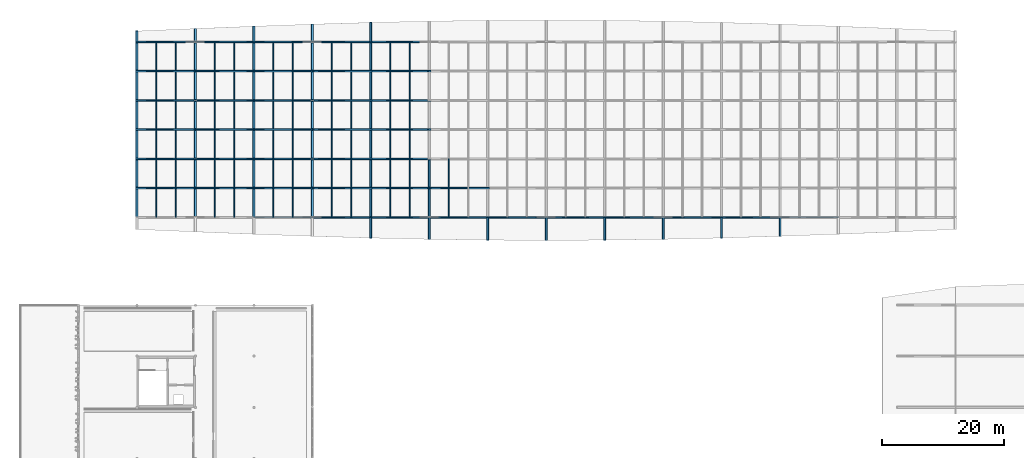
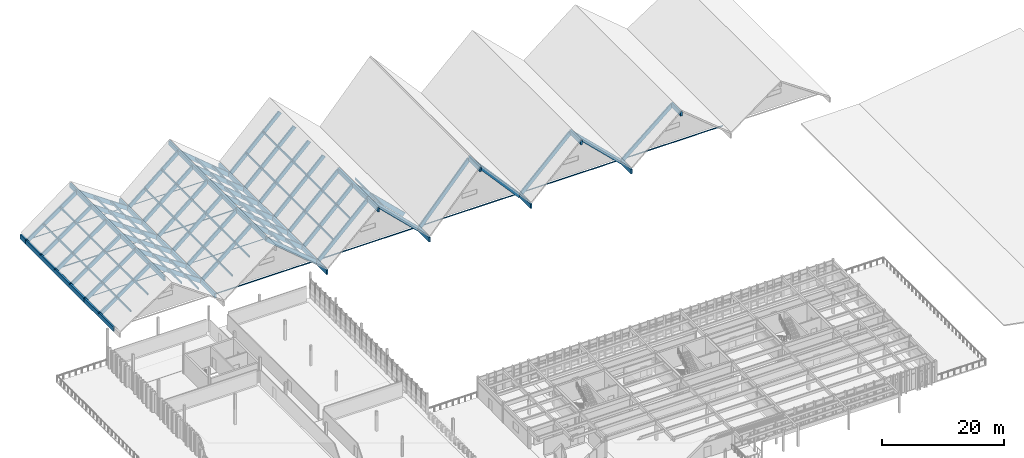
# One storey, part 15 of 42: 95 members.
"""IFC4 building model written with IfcOpenShell, lengths in metres."""

from ifc_helpers import new_model, si_unit, direction, frame, origin, origin_2d, place, context, subcontext, project, spatial, rectangle, hollow_circle, extrude, material, material_profile, profile_set, type_object, element, save


model = new_model("IFC4")

# Units and contexts
model_context = context("Model", 3, precision=1e-05, world=origin(), true_north=direction((0.0, 1.0)))
body_context = subcontext(model_context, "Body", "Model", "MODEL_VIEW")
ifc_project = project(units=[si_unit("LENGTHUNIT", "METRE"), si_unit("AREAUNIT", "SQUARE_METRE"), si_unit("VOLUMEUNIT", "CUBIC_METRE"), si_unit("PLANEANGLEUNIT", "RADIAN"), si_unit("MASSUNIT", "GRAM", prefix="KILO")], contexts=[model_context])

# Site, building, storey
site_placement = place(None, origin())
site = spatial("IfcSite", under=ifc_project, at=site_placement, CompositionType="ELEMENT")
building_placement = place(site_placement, origin())
building = spatial("IfcBuilding", under=site, at=building_placement, Name="Kolvemor Railside Polytechnic", CompositionType="ELEMENT")
storey_placement = place(building_placement, frame((0.0, 0.0, 14.39990234375)))
storey = spatial("IfcBuildingStorey", under=building, at=storey_placement, Name="L03", CompositionType="ELEMENT", Elevation=14.39990234375)

# Members
ifc_material_1 = material(Name="Glulam GL28h", Category="wood")
ifc_material_profile_1 = material_profile(ifc_material_1, rectangle(XDim=0.31494140625, YDim=0.89990234375, at=origin_2d()), Name="GL315x900")
ifc_profile_set_1 = profile_set([ifc_material_profile_1], Name="Glulam GL28h")
member_type_1 = type_object("IfcMemberType", Name="MEM-FP-CHORD", PredefinedType="CHORD", material=ifc_profile_set_1)
member_1_placement = place(storey_placement, frame((19.199951171875, 91.199951171875, -4.96875), z_axis=(0.0, 1.0, 0.0), x_axis=(-1.0, 0.0, 0.0)))
element("IfcMember", 1, at=member_1_placement, inside=storey, type_object=member_type_1, Name="Folded-Plate Valley Chord CH-V1-2", PredefinedType="CHORD", context=body_context, shape_type="SweptSolid", body=[
    extrude(rectangle(XDim=0.31494140625, YDim=0.89990234375, at=origin_2d()), origin(), (0.0, 0.0, 1.0), 9.60009765625),
])
member_2_placement = place(storey_placement, frame((19.199951171875, 100.800048828125, -4.96875), z_axis=(0.0, 1.0, 0.0), x_axis=(-1.0, 0.0, 0.0)))
element("IfcMember", 2, at=member_2_placement, inside=storey, type_object=member_type_1, Name="Folded-Plate Valley Chord CH-V1-3", PredefinedType="CHORD", context=body_context, shape_type="SweptSolid", body=[
    extrude(rectangle(XDim=0.31494140625, YDim=0.89990234375, at=origin_2d()), origin(), (0.0, 0.0, 1.0), 19.199951171875),
])
member_3_placement = place(storey_placement, frame((19.199951171875, 120.0, -4.96875), z_axis=(0.0, 1.0, 0.0), x_axis=(-1.0, 0.0, 0.0)))
element("IfcMember", 3, at=member_3_placement, inside=storey, type_object=member_type_1, Name="Folded-Plate Valley Chord CH-V1-4", PredefinedType="CHORD", context=body_context, shape_type="SweptSolid", body=[
    extrude(rectangle(XDim=0.31494140625, YDim=0.89990234375, at=origin_2d()), origin(), (0.0, 0.0, 1.0), 1.800048828125),
])
member_4_placement = place(storey_placement, frame((38.39990234375, 91.199951171875, -4.96875), z_axis=(0.0, 1.0, 0.0), x_axis=(-1.0, 0.0, 0.0)))
element("IfcMember", 4, at=member_4_placement, inside=storey, type_object=member_type_1, Name="Folded-Plate Valley Chord CH-V2-2", PredefinedType="CHORD", context=body_context, shape_type="SweptSolid", body=[
    extrude(rectangle(XDim=0.31494140625, YDim=0.89990234375, at=origin_2d()), origin(), (0.0, 0.0, 1.0), 9.60009765625),
])
member_5_placement = place(storey_placement, frame((38.39990234375, 100.800048828125, -4.96875), z_axis=(0.0, 1.0, 0.0), x_axis=(-1.0, 0.0, 0.0)))
element("IfcMember", 5, at=member_5_placement, inside=storey, type_object=member_type_1, Name="Folded-Plate Valley Chord CH-V2-3", PredefinedType="CHORD", context=body_context, shape_type="SweptSolid", body=[
    extrude(rectangle(XDim=0.31494140625, YDim=0.89990234375, at=origin_2d()), origin(), (0.0, 0.0, 1.0), 19.199951171875),
])
member_6_placement = place(storey_placement, frame((38.39990234375, 120.0, -4.96875), z_axis=(0.0, 1.0, 0.0), x_axis=(-1.0, 0.0, 0.0)))
element("IfcMember", 6, at=member_6_placement, inside=storey, type_object=member_type_1, Name="Folded-Plate Valley Chord CH-V2-4", PredefinedType="CHORD", context=body_context, shape_type="SweptSolid", body=[
    extrude(rectangle(XDim=0.31494140625, YDim=0.89990234375, at=origin_2d()), origin(), (0.0, 0.0, 1.0), 2.5810546875),
])
member_7_placement = place(storey_placement, frame((57.60009765625, 87.79296875, -4.96875), z_axis=(0.0, 1.0, 0.0), x_axis=(-1.0, 0.0, 0.0)))
element("IfcMember", 7, at=member_7_placement, inside=storey, type_object=member_type_1, Name="Folded-Plate Valley Chord CH-V3-1", PredefinedType="CHORD", context=body_context, shape_type="SweptSolid", body=[
    extrude(rectangle(XDim=0.31494140625, YDim=0.89990234375, at=origin_2d()), origin(), (0.0, 0.0, 1.0), 3.406982421875),
])
member_8_placement = place(storey_placement, frame((57.60009765625, 91.199951171875, -4.96875), z_axis=(0.0, 1.0, 0.0), x_axis=(-1.0, 0.0, 0.0)))
element("IfcMember", 8, at=member_8_placement, inside=storey, type_object=member_type_1, Name="Folded-Plate Valley Chord CH-V3-2", PredefinedType="CHORD", context=body_context, shape_type="SweptSolid", body=[
    extrude(rectangle(XDim=0.31494140625, YDim=0.89990234375, at=origin_2d()), origin(), (0.0, 0.0, 1.0), 9.60009765625),
])
member_9_placement = place(storey_placement, frame((57.60009765625, 100.800048828125, -4.96875), z_axis=(0.0, 1.0, 0.0), x_axis=(-1.0, 0.0, 0.0)))
element("IfcMember", 9, at=member_9_placement, inside=storey, type_object=member_type_1, Name="Folded-Plate Valley Chord CH-V3-3", PredefinedType="CHORD", context=body_context, shape_type="SweptSolid", body=[
    extrude(rectangle(XDim=0.31494140625, YDim=0.89990234375, at=origin_2d()), origin(), (0.0, 0.0, 1.0), 19.199951171875),
])
member_10_placement = place(storey_placement, frame((57.60009765625, 120.0, -4.96875), z_axis=(0.0, 1.0, 0.0), x_axis=(-1.0, 0.0, 0.0)))
element("IfcMember", 10, at=member_10_placement, inside=storey, type_object=member_type_1, Name="Folded-Plate Valley Chord CH-V3-4", PredefinedType="CHORD", context=body_context, shape_type="SweptSolid", body=[
    extrude(rectangle(XDim=0.31494140625, YDim=0.89990234375, at=origin_2d()), origin(), (0.0, 0.0, 1.0), 3.20703125),
])
for number, where, z_axis, x_axis, name in (
    (11, (76.800048828125, 87.445068359375, -4.96875), (0.0, 1.0, 0.0), (-1.0, 0.0, 0.0), "Folded-Plate Valley Chord CH-V4-1"),
    (12, (96.0, 87.445068359375, -4.96875), (0.0, 1.0, 0.0), (-1.0, 0.0, 0.0), "Folded-Plate Valley Chord CH-V5-1"),
):
    element("IfcMember", number, at=place(storey_placement, frame(where, z_axis=z_axis, x_axis=x_axis)), inside=storey, type_object=member_type_1, Name=name, PredefinedType="CHORD", context=body_context, shape_type="SweptSolid", body=[
        extrude(rectangle(XDim=0.31494140625, YDim=0.89990234375, at=origin_2d()), origin(), (0.0, 0.0, 1.0), 3.7548828125),
    ])
member_11_placement = place(storey_placement, frame((115.199951171875, 87.79296875, -4.96875), z_axis=(0.0, 1.0, 0.0), x_axis=(-1.0, 0.0, 0.0)))
element("IfcMember", 13, at=member_11_placement, inside=storey, type_object=member_type_1, Name="Folded-Plate Valley Chord CH-V6-1", PredefinedType="CHORD", context=body_context, shape_type="SweptSolid", body=[
    extrude(rectangle(XDim=0.31494140625, YDim=0.89990234375, at=origin_2d()), origin(), (0.0, 0.0, 1.0), 3.406982421875),
])
member_12_placement = place(storey_placement, frame((28.800048828125, 91.199951171875, 1.75732421875), z_axis=(0.0, 1.0, 0.0), x_axis=(-1.0, 0.0, 0.0)))
element("IfcMember", 14, at=member_12_placement, inside=storey, type_object=member_type_1, Name="Folded-Plate Ridge Chord CH-R1-2", PredefinedType="CHORD", context=body_context, shape_type="SweptSolid", body=[
    extrude(rectangle(XDim=0.31494140625, YDim=0.89990234375, at=origin_2d()), origin(), (0.0, 0.0, 1.0), 9.60009765625),
])
member_13_placement = place(storey_placement, frame((28.800048828125, 100.800048828125, 1.75732421875), z_axis=(0.0, 1.0, 0.0), x_axis=(-1.0, 0.0, 0.0)))
element("IfcMember", 15, at=member_13_placement, inside=storey, type_object=member_type_1, Name="Folded-Plate Ridge Chord CH-R1-3", PredefinedType="CHORD", context=body_context, shape_type="SweptSolid", body=[
    extrude(rectangle(XDim=0.31494140625, YDim=0.89990234375, at=origin_2d()), origin(), (0.0, 0.0, 1.0), 19.199951171875),
])
member_14_placement = place(storey_placement, frame((28.800048828125, 120.0, 1.75732421875), z_axis=(0.0, 1.0, 0.0), x_axis=(-1.0, 0.0, 0.0)))
element("IfcMember", 16, at=member_14_placement, inside=storey, type_object=member_type_1, Name="Folded-Plate Ridge Chord CH-R1-4", PredefinedType="CHORD", context=body_context, shape_type="SweptSolid", body=[
    extrude(rectangle(XDim=0.31494140625, YDim=0.89990234375, at=origin_2d()), origin(), (0.0, 0.0, 1.0), 2.200927734375),
])
member_15_placement = place(storey_placement, frame((48.0, 91.199951171875, 3.03759765625), z_axis=(0.0, 1.0, 0.0), x_axis=(-1.0, 0.0, 0.0)))
element("IfcMember", 17, at=member_15_placement, inside=storey, type_object=member_type_1, Name="Folded-Plate Ridge Chord CH-R2-2", PredefinedType="CHORD", context=body_context, shape_type="SweptSolid", body=[
    extrude(rectangle(XDim=0.31494140625, YDim=0.89990234375, at=origin_2d()), origin(), (0.0, 0.0, 1.0), 9.60009765625),
])
member_16_placement = place(storey_placement, frame((48.0, 100.800048828125, 3.03759765625), z_axis=(0.0, 1.0, 0.0), x_axis=(-1.0, 0.0, 0.0)))
element("IfcMember", 18, at=member_16_placement, inside=storey, type_object=member_type_1, Name="Folded-Plate Ridge Chord CH-R2-3", PredefinedType="CHORD", context=body_context, shape_type="SweptSolid", body=[
    extrude(rectangle(XDim=0.31494140625, YDim=0.89990234375, at=origin_2d()), origin(), (0.0, 0.0, 1.0), 19.199951171875),
])
member_17_placement = place(storey_placement, frame((48.0, 120.0, 3.03759765625), z_axis=(0.0, 1.0, 0.0), x_axis=(-1.0, 0.0, 0.0)))
element("IfcMember", 19, at=member_17_placement, inside=storey, type_object=member_type_1, Name="Folded-Plate Ridge Chord CH-R2-4", PredefinedType="CHORD", context=body_context, shape_type="SweptSolid", body=[
    extrude(rectangle(XDim=0.31494140625, YDim=0.89990234375, at=origin_2d()), origin(), (0.0, 0.0, 1.0), 2.922119140625),
])
member_18_placement = place(storey_placement, frame((67.199951171875, 87.577880859375, 4.31591796875), z_axis=(0.0, 1.0, 0.0), x_axis=(-1.0, 0.0, 0.0)))
element("IfcMember", 20, at=member_18_placement, inside=storey, type_object=member_type_1, Name="Folded-Plate Ridge Chord CH-R3-1", PredefinedType="CHORD", context=body_context, shape_type="SweptSolid", body=[
    extrude(rectangle(XDim=0.31494140625, YDim=0.89990234375, at=origin_2d()), origin(), (0.0, 0.0, 1.0), 3.6220703125),
])
member_19_placement = place(storey_placement, frame((67.199951171875, 91.199951171875, 4.31591796875), z_axis=(0.0, 1.0, 0.0), x_axis=(-1.0, 0.0, 0.0)))
element("IfcMember", 21, at=member_19_placement, inside=storey, type_object=member_type_1, Name="Folded-Plate Ridge Chord CH-R3-2", PredefinedType="CHORD", context=body_context, shape_type="SweptSolid", body=[
    extrude(rectangle(XDim=0.31494140625, YDim=0.89990234375, at=origin_2d()), origin(), (0.0, 0.0, 1.0), 9.60009765625),
])
member_20_placement = place(storey_placement, frame((86.39990234375, 87.39990234375, 5.788818359375), z_axis=(0.0, 1.0, 0.0), x_axis=(-1.0, 0.0, 0.0)))
element("IfcMember", 22, at=member_20_placement, inside=storey, type_object=member_type_1, Name="Folded-Plate Ridge Chord CH-R4-1", PredefinedType="CHORD", context=body_context, shape_type="SweptSolid", body=[
    extrude(rectangle(XDim=0.31494140625, YDim=0.89990234375, at=origin_2d()), origin(), (0.0, 0.0, 1.0), 3.800048828125),
])
member_21_placement = place(storey_placement, frame((105.60009765625, 87.577880859375, 4.31591796875), z_axis=(0.0, 1.0, 0.0), x_axis=(-1.0, 0.0, 0.0)))
element("IfcMember", 23, at=member_21_placement, inside=storey, type_object=member_type_1, Name="Folded-Plate Ridge Chord CH-R5-1", PredefinedType="CHORD", context=body_context, shape_type="SweptSolid", body=[
    extrude(rectangle(XDim=0.31494140625, YDim=0.89990234375, at=origin_2d()), origin(), (0.0, 0.0, 1.0), 3.6220703125),
])
member_22_placement = place(storey_placement, frame((124.800048828125, 88.077880859375, 3.03759765625), z_axis=(0.0, 1.0, 0.0), x_axis=(-1.0, 0.0, 0.0)))
element("IfcMember", 24, at=member_22_placement, inside=storey, type_object=member_type_1, Name="Folded-Plate Ridge Chord CH-R6-1", PredefinedType="CHORD", context=body_context, shape_type="SweptSolid", body=[
    extrude(rectangle(XDim=0.31494140625, YDim=0.89990234375, at=origin_2d()), origin(), (0.0, 0.0, 1.0), 3.1220703125),
])
ifc_material_2 = material(Name="Glulam GL28h", Category="wood")
ifc_material_profile_2 = material_profile(ifc_material_2, rectangle(XDim=0.18505859375, YDim=0.360107421875, at=origin_2d()), Name="GL185x360")
ifc_profile_set_2 = profile_set([ifc_material_profile_2], Name="Glulam GL28h")
member_type_2 = type_object("IfcMemberType", Name="MEM-FP-PURLIN", PredefinedType="PURLIN", material=ifc_profile_set_2)
for number, where, z_axis, x_axis, name in (
    (25, (22.39990234375, 91.199951171875, -2.478759765625), (0.0, 1.0, 0.0), (-1.0, 0.0, 0.0), "Folded-Plate Purlin PR-W1-1"),
    (26, (35.199951171875, 91.199951171875, -2.478759765625), (0.0, 1.0, 0.0), (-1.0, 0.0, 0.0), "Folded-Plate Purlin PR-E1-1"),
):
    element("IfcMember", number, at=place(storey_placement, frame(where, z_axis=z_axis, x_axis=x_axis)), inside=storey, type_object=member_type_2, Name=name, PredefinedType="PURLIN", context=body_context, shape_type="SweptSolid", body=[
        extrude(rectangle(XDim=0.18505859375, YDim=0.360107421875, at=origin_2d()), origin(), (0.0, 0.0, 1.0), 9.60009765625),
    ])
for number, where, z_axis, x_axis, name in (
    (27, (22.39990234375, 100.800048828125, -2.478759765625), (0.0, 1.0, 0.0), (-1.0, 0.0, 0.0), "Folded-Plate Purlin PR-W1-1"),
    (28, (35.199951171875, 100.800048828125, -2.478759765625), (0.0, 1.0, 0.0), (-1.0, 0.0, 0.0), "Folded-Plate Purlin PR-E1-1"),
):
    element("IfcMember", number, at=place(storey_placement, frame(where, z_axis=z_axis, x_axis=x_axis)), inside=storey, type_object=member_type_2, Name=name, PredefinedType="PURLIN", context=body_context, shape_type="SweptSolid", body=[
        extrude(rectangle(XDim=0.18505859375, YDim=0.360107421875, at=origin_2d()), origin(), (0.0, 0.0, 1.0), 19.199951171875),
    ])
for number, where, z_axis, x_axis, name in (
    (29, (25.60009765625, 91.199951171875, -0.245361328125), (0.0, 1.0, 0.0), (-1.0, 0.0, 0.0), "Folded-Plate Purlin PR-W1-2"),
    (30, (32.0, 91.199951171875, -0.245361328125), (0.0, 1.0, 0.0), (-1.0, 0.0, 0.0), "Folded-Plate Purlin PR-E1-2"),
):
    element("IfcMember", number, at=place(storey_placement, frame(where, z_axis=z_axis, x_axis=x_axis)), inside=storey, type_object=member_type_2, Name=name, PredefinedType="PURLIN", context=body_context, shape_type="SweptSolid", body=[
        extrude(rectangle(XDim=0.18505859375, YDim=0.360107421875, at=origin_2d()), origin(), (0.0, 0.0, 1.0), 9.60009765625),
    ])
for number, where, z_axis, x_axis, name in (
    (31, (25.60009765625, 100.800048828125, -0.245361328125), (0.0, 1.0, 0.0), (-1.0, 0.0, 0.0), "Folded-Plate Purlin PR-W1-2"),
    (32, (32.0, 100.800048828125, -0.245361328125), (0.0, 1.0, 0.0), (-1.0, 0.0, 0.0), "Folded-Plate Purlin PR-E1-2"),
):
    element("IfcMember", number, at=place(storey_placement, frame(where, z_axis=z_axis, x_axis=x_axis)), inside=storey, type_object=member_type_2, Name=name, PredefinedType="PURLIN", context=body_context, shape_type="SweptSolid", body=[
        extrude(rectangle(XDim=0.18505859375, YDim=0.360107421875, at=origin_2d()), origin(), (0.0, 0.0, 1.0), 19.199951171875),
    ])
for number, where, z_axis, x_axis, name in (
    (33, (41.60009765625, 91.199951171875, -2.080078125), (0.0, 1.0, 0.0), (-1.0, 0.0, 0.0), "Folded-Plate Purlin PR-W2-1"),
    (34, (54.39990234375, 91.199951171875, -2.080078125), (0.0, 1.0, 0.0), (-1.0, 0.0, 0.0), "Folded-Plate Purlin PR-E2-1"),
):
    element("IfcMember", number, at=place(storey_placement, frame(where, z_axis=z_axis, x_axis=x_axis)), inside=storey, type_object=member_type_2, Name=name, PredefinedType="PURLIN", context=body_context, shape_type="SweptSolid", body=[
        extrude(rectangle(XDim=0.18505859375, YDim=0.360107421875, at=origin_2d()), origin(), (0.0, 0.0, 1.0), 9.60009765625),
    ])
for number, where, z_axis, x_axis, name in (
    (35, (41.60009765625, 100.800048828125, -2.080078125), (0.0, 1.0, 0.0), (-1.0, 0.0, 0.0), "Folded-Plate Purlin PR-W2-1"),
    (36, (54.39990234375, 100.800048828125, -2.080078125), (0.0, 1.0, 0.0), (-1.0, 0.0, 0.0), "Folded-Plate Purlin PR-E2-1"),
):
    element("IfcMember", number, at=place(storey_placement, frame(where, z_axis=z_axis, x_axis=x_axis)), inside=storey, type_object=member_type_2, Name=name, PredefinedType="PURLIN", context=body_context, shape_type="SweptSolid", body=[
        extrude(rectangle(XDim=0.18505859375, YDim=0.360107421875, at=origin_2d()), origin(), (0.0, 0.0, 1.0), 19.199951171875),
    ])
for number, where, z_axis, x_axis, name in (
    (37, (44.800048828125, 91.199951171875, 0.586669921875), (0.0, 1.0, 0.0), (-1.0, 0.0, 0.0), "Folded-Plate Purlin PR-W2-2"),
    (38, (51.199951171875, 91.199951171875, 0.586669921875), (0.0, 1.0, 0.0), (-1.0, 0.0, 0.0), "Folded-Plate Purlin PR-E2-2"),
):
    element("IfcMember", number, at=place(storey_placement, frame(where, z_axis=z_axis, x_axis=x_axis)), inside=storey, type_object=member_type_2, Name=name, PredefinedType="PURLIN", context=body_context, shape_type="SweptSolid", body=[
        extrude(rectangle(XDim=0.18505859375, YDim=0.360107421875, at=origin_2d()), origin(), (0.0, 0.0, 1.0), 9.60009765625),
    ])
for number, where, z_axis, x_axis, name in (
    (39, (44.800048828125, 100.800048828125, 0.586669921875), (0.0, 1.0, 0.0), (-1.0, 0.0, 0.0), "Folded-Plate Purlin PR-W2-2"),
    (40, (51.199951171875, 100.800048828125, 0.586669921875), (0.0, 1.0, 0.0), (-1.0, 0.0, 0.0), "Folded-Plate Purlin PR-E2-2"),
):
    element("IfcMember", number, at=place(storey_placement, frame(where, z_axis=z_axis, x_axis=x_axis)), inside=storey, type_object=member_type_2, Name=name, PredefinedType="PURLIN", context=body_context, shape_type="SweptSolid", body=[
        extrude(rectangle(XDim=0.18505859375, YDim=0.360107421875, at=origin_2d()), origin(), (0.0, 0.0, 1.0), 19.199951171875),
    ])
member_23_placement = place(storey_placement, frame((60.800048828125, 91.199951171875, -1.684814453125), z_axis=(0.0, 1.0, 0.0), x_axis=(-1.0, 0.0, 0.0)))
element("IfcMember", 41, at=member_23_placement, inside=storey, type_object=member_type_2, Name="Folded-Plate Purlin PR-W3-1", PredefinedType="PURLIN", context=body_context, shape_type="SweptSolid", body=[
    extrude(rectangle(XDim=0.18505859375, YDim=0.360107421875, at=origin_2d()), origin(), (0.0, 0.0, 1.0), 9.60009765625),
])
member_24_placement = place(storey_placement, frame((60.800048828125, 100.800048828125, -1.684814453125), z_axis=(0.0, 1.0, 0.0), x_axis=(-1.0, 0.0, 0.0)))
element("IfcMember", 42, at=member_24_placement, inside=storey, type_object=member_type_2, Name="Folded-Plate Purlin PR-W3-1", PredefinedType="PURLIN", context=body_context, shape_type="SweptSolid", body=[
    extrude(rectangle(XDim=0.18505859375, YDim=0.360107421875, at=origin_2d()), origin(), (0.0, 0.0, 1.0), 19.199951171875),
])
for number, where, z_axis, x_axis, name in (
    (43, (64.0, 91.199951171875, 1.415283203125), (0.0, 1.0, 0.0), (-1.0, 0.0, 0.0), "Folded-Plate Purlin PR-W3-2"),
    (44, (70.39990234375, 91.199951171875, 1.415283203125), (0.0, 1.0, 0.0), (-1.0, 0.0, 0.0), "Folded-Plate Purlin PR-E3-2"),
):
    element("IfcMember", number, at=place(storey_placement, frame(where, z_axis=z_axis, x_axis=x_axis)), inside=storey, type_object=member_type_2, Name=name, PredefinedType="PURLIN", context=body_context, shape_type="SweptSolid", body=[
        extrude(rectangle(XDim=0.18505859375, YDim=0.360107421875, at=origin_2d()), origin(), (0.0, 0.0, 1.0), 9.60009765625),
    ])
member_25_placement = place(storey_placement, frame((64.0, 100.800048828125, 1.415283203125), z_axis=(0.0, 1.0, 0.0), x_axis=(-1.0, 0.0, 0.0)))
element("IfcMember", 45, at=member_25_placement, inside=storey, type_object=member_type_2, Name="Folded-Plate Purlin PR-W3-2", PredefinedType="PURLIN", context=body_context, shape_type="SweptSolid", body=[
    extrude(rectangle(XDim=0.18505859375, YDim=0.360107421875, at=origin_2d()), origin(), (0.0, 0.0, 1.0), 19.199951171875),
])
ifc_material_3 = material(Name="Glulam GL28h", Category="wood")
ifc_material_profile_3 = material_profile(ifc_material_3, rectangle(XDim=0.264892578125, YDim=0.760009765625, at=origin_2d()), Name="GL265x760")
ifc_profile_set_3 = profile_set([ifc_material_profile_3], Name="Glulam GL28h")
member_type_3 = type_object("IfcMemberType", Name="MEM-FP-RAFTER", PredefinedType="RAFTER", material=ifc_profile_set_3)
for number, where, z_axis, x_axis, name in (
    (46, (19.199951171875, 96.0, -4.9560546875), (0.820038413618, 0.0, 0.572308483417), (0.0, 1.0, 0.0), "Folded-Plate West Rafter RF-W1-2"),
    (47, (28.800048828125, 96.0, 1.743896484375), (0.820031582841, 0.0, -0.572318270845), (0.0, 1.0, 0.0), "Folded-Plate East Rafter RF-E1-2"),
    (48, (19.199951171875, 100.800048828125, -4.9560546875), (0.820038413618, 0.0, 0.572308483417), (0.0, 1.0, 0.0), "Folded-Plate West Rafter RF-W1-3"),
    (49, (28.800048828125, 100.800048828125, 1.743896484375), (0.820031582841, 0.0, -0.572318270845), (0.0, 1.0, 0.0), "Folded-Plate East Rafter RF-E1-3"),
    (50, (19.199951171875, 105.60009765625, -4.9560546875), (0.820038413618, 0.0, 0.572308483417), (0.0, 1.0, 0.0), "Folded-Plate West Rafter RF-W1-4"),
    (51, (28.800048828125, 105.60009765625, 1.743896484375), (0.820031582841, 0.0, -0.572318270845), (0.0, 1.0, 0.0), "Folded-Plate East Rafter RF-E1-4"),
    (52, (19.199951171875, 110.39990234375, -4.9560546875), (0.820038413618, 0.0, 0.572308483417), (0.0, 1.0, 0.0), "Folded-Plate West Rafter RF-W1-5"),
    (53, (28.800048828125, 110.39990234375, 1.743896484375), (0.820031582841, 0.0, -0.572318270845), (0.0, 1.0, 0.0), "Folded-Plate East Rafter RF-E1-5"),
    (54, (19.199951171875, 115.199951171875, -4.9560546875), (0.820038413618, 0.0, 0.572308483417), (0.0, 1.0, 0.0), "Folded-Plate West Rafter RF-W1-6"),
    (55, (28.800048828125, 115.199951171875, 1.743896484375), (0.820031582841, 0.0, -0.572318270845), (0.0, 1.0, 0.0), "Folded-Plate East Rafter RF-E1-6"),
    (56, (19.199951171875, 120.0, -4.9560546875), (0.820038413618, 0.0, 0.572308483417), (0.0, 1.0, 0.0), "Folded-Plate West Rafter RF-W1-7"),
    (57, (28.800048828125, 120.0, 1.743896484375), (0.820031582841, 0.0, -0.572318270845), (0.0, 1.0, 0.0), "Folded-Plate East Rafter RF-E1-7"),
):
    element("IfcMember", number, at=place(storey_placement, frame(where, z_axis=z_axis, x_axis=x_axis)), inside=storey, type_object=member_type_3, Name=name, PredefinedType="RAFTER", context=body_context, shape_type="SweptSolid", body=[
        extrude(rectangle(XDim=0.264892578125, YDim=0.760009765625, at=origin_2d()), origin(), (0.0, 0.0, 1.0), 11.706787109375),
    ])
for number, where, z_axis, x_axis, name in (
    (58, (48.0, 91.199951171875, 2.992919921875), (0.768224482335, 0.0, -0.640180556359), (0.0, 1.0, 0.0), "Folded-Plate East Rafter RF-E2-1"),
    (59, (38.39990234375, 96.0, -5.007080078125), (0.768224482335, 0.0, 0.640180556359), (0.0, 1.0, 0.0), "Folded-Plate West Rafter RF-W2-2"),
    (60, (48.0, 96.0, 2.992919921875), (0.768224482335, 0.0, -0.640180556359), (0.0, 1.0, 0.0), "Folded-Plate East Rafter RF-E2-2"),
    (61, (38.39990234375, 100.800048828125, -5.007080078125), (0.768224482335, 0.0, 0.640180556359), (0.0, 1.0, 0.0), "Folded-Plate West Rafter RF-W2-3"),
    (62, (48.0, 100.800048828125, 2.992919921875), (0.768224482335, 0.0, -0.640180556359), (0.0, 1.0, 0.0), "Folded-Plate East Rafter RF-E2-3"),
    (63, (38.39990234375, 105.60009765625, -5.007080078125), (0.768224482335, 0.0, 0.640180556359), (0.0, 1.0, 0.0), "Folded-Plate West Rafter RF-W2-4"),
    (64, (48.0, 105.60009765625, 2.992919921875), (0.768224482335, 0.0, -0.640180556359), (0.0, 1.0, 0.0), "Folded-Plate East Rafter RF-E2-4"),
    (65, (38.39990234375, 110.39990234375, -5.007080078125), (0.768224482335, 0.0, 0.640180556359), (0.0, 1.0, 0.0), "Folded-Plate West Rafter RF-W2-5"),
    (66, (48.0, 110.39990234375, 2.992919921875), (0.768224482335, 0.0, -0.640180556359), (0.0, 1.0, 0.0), "Folded-Plate East Rafter RF-E2-5"),
    (67, (38.39990234375, 115.199951171875, -5.007080078125), (0.768224482335, 0.0, 0.640180556359), (0.0, 1.0, 0.0), "Folded-Plate West Rafter RF-W2-6"),
    (68, (48.0, 115.199951171875, 2.992919921875), (0.768224482335, 0.0, -0.640180556359), (0.0, 1.0, 0.0), "Folded-Plate East Rafter RF-E2-6"),
    (69, (38.39990234375, 120.0, -5.007080078125), (0.768224482335, 0.0, 0.640180556359), (0.0, 1.0, 0.0), "Folded-Plate West Rafter RF-W2-7"),
    (70, (48.0, 120.0, 2.992919921875), (0.768224482335, 0.0, -0.640180556359), (0.0, 1.0, 0.0), "Folded-Plate East Rafter RF-E2-7"),
):
    element("IfcMember", number, at=place(storey_placement, frame(where, z_axis=z_axis, x_axis=x_axis)), inside=storey, type_object=member_type_3, Name=name, PredefinedType="RAFTER", context=body_context, shape_type="SweptSolid", body=[
        extrude(rectangle(XDim=0.264892578125, YDim=0.760009765625, at=origin_2d()), origin(), (0.0, 0.0, 1.0), 12.49658203125),
    ])
member_26_placement = place(storey_placement, frame((57.60009765625, 91.199951171875, -5.06298828125), z_axis=(0.718242219637, 0.0, 0.695793154559), x_axis=(0.0, 1.0, 0.0)))
element("IfcMember", 71, at=member_26_placement, inside=storey, type_object=member_type_3, Name="Folded-Plate West Rafter RF-W3-1", PredefinedType="RAFTER", context=body_context, shape_type="SweptSolid", body=[
    extrude(rectangle(XDim=0.264892578125, YDim=0.760009765625, at=origin_2d()), origin(), (0.0, 0.0, 1.0), 13.36572265625),
])
member_27_placement = place(storey_placement, frame((67.199951171875, 91.199951171875, 4.23681640625), z_axis=(0.718251062607, 0.0, -0.695784026164), x_axis=(0.0, 1.0, 0.0)))
element("IfcMember", 72, at=member_27_placement, inside=storey, type_object=member_type_3, Name="Folded-Plate East Rafter RF-E3-1", PredefinedType="RAFTER", context=body_context, shape_type="SweptSolid", body=[
    extrude(rectangle(XDim=0.264892578125, YDim=0.760009765625, at=origin_2d()), origin(), (0.0, 0.0, 1.0), 13.365966796875),
])
member_28_placement = place(storey_placement, frame((57.60009765625, 96.0, -5.06298828125), z_axis=(0.718242219637, 0.0, 0.695793154559), x_axis=(0.0, 1.0, 0.0)))
element("IfcMember", 73, at=member_28_placement, inside=storey, type_object=member_type_3, Name="Folded-Plate West Rafter RF-W3-2", PredefinedType="RAFTER", context=body_context, shape_type="SweptSolid", body=[
    extrude(rectangle(XDim=0.264892578125, YDim=0.760009765625, at=origin_2d()), origin(), (0.0, 0.0, 1.0), 13.36572265625),
])
member_29_placement = place(storey_placement, frame((67.199951171875, 96.0, 4.23681640625), z_axis=(0.718251062607, 0.0, -0.695784026164), x_axis=(0.0, 1.0, 0.0)))
element("IfcMember", 74, at=member_29_placement, inside=storey, type_object=member_type_3, Name="Folded-Plate East Rafter RF-E3-2", PredefinedType="RAFTER", context=body_context, shape_type="SweptSolid", body=[
    extrude(rectangle(XDim=0.264892578125, YDim=0.760009765625, at=origin_2d()), origin(), (0.0, 0.0, 1.0), 13.365966796875),
])
for number, where, z_axis, x_axis, name in (
    (75, (57.60009765625, 100.800048828125, -5.06298828125), (0.718242219637, 0.0, 0.695793154559), (0.0, 1.0, 0.0), "Folded-Plate West Rafter RF-W3-3"),
    (76, (57.60009765625, 105.60009765625, -5.06298828125), (0.718242219637, 0.0, 0.695793154559), (0.0, 1.0, 0.0), "Folded-Plate West Rafter RF-W3-4"),
    (77, (57.60009765625, 110.39990234375, -5.06298828125), (0.718242219637, 0.0, 0.695793154559), (0.0, 1.0, 0.0), "Folded-Plate West Rafter RF-W3-5"),
    (78, (57.60009765625, 115.199951171875, -5.06298828125), (0.718242219637, 0.0, 0.695793154559), (0.0, 1.0, 0.0), "Folded-Plate West Rafter RF-W3-6"),
    (79, (57.60009765625, 120.0, -5.06298828125), (0.718242219637, 0.0, 0.695793154559), (0.0, 1.0, 0.0), "Folded-Plate West Rafter RF-W3-7"),
):
    element("IfcMember", number, at=place(storey_placement, frame(where, z_axis=z_axis, x_axis=x_axis)), inside=storey, type_object=member_type_3, Name=name, PredefinedType="RAFTER", context=body_context, shape_type="SweptSolid", body=[
        extrude(rectangle(XDim=0.264892578125, YDim=0.760009765625, at=origin_2d()), origin(), (0.0, 0.0, 1.0), 13.36572265625),
    ])
for number, where, z_axis, x_axis, name in (
    (80, (76.800048828125, 91.199951171875, -5.133056640625), (0.6643564979, 0.0, 0.74741584389), (0.0, 1.0, 0.0), "Folded-Plate West Rafter RF-W4-1"),
    (81, (86.39990234375, 91.199951171875, 5.6669921875), (0.664365936203, 0.0, -0.747407454347), (0.0, 1.0, 0.0), "Folded-Plate East Rafter RF-E4-1"),
):
    element("IfcMember", number, at=place(storey_placement, frame(where, z_axis=z_axis, x_axis=x_axis)), inside=storey, type_object=member_type_3, Name=name, PredefinedType="RAFTER", context=body_context, shape_type="SweptSolid", body=[
        extrude(rectangle(XDim=0.264892578125, YDim=0.760009765625, at=origin_2d()), origin(), (0.0, 0.0, 1.0), 14.449951171875),
    ])
member_30_placement = place(storey_placement, frame((96.0, 91.199951171875, -5.06298828125), z_axis=(0.718251062607, 0.0, 0.695784026164), x_axis=(0.0, 1.0, 0.0)))
element("IfcMember", 82, at=member_30_placement, inside=storey, type_object=member_type_3, Name="Folded-Plate West Rafter RF-W5-1", PredefinedType="RAFTER", context=body_context, shape_type="SweptSolid", body=[
    extrude(rectangle(XDim=0.264892578125, YDim=0.760009765625, at=origin_2d()), origin(), (0.0, 0.0, 1.0), 13.365966796875),
])
member_31_placement = place(storey_placement, frame((105.60009765625, 91.199951171875, 4.23681640625), z_axis=(0.718242219637, 0.0, -0.695793154559), x_axis=(0.0, 1.0, 0.0)))
element("IfcMember", 83, at=member_31_placement, inside=storey, type_object=member_type_3, Name="Folded-Plate East Rafter RF-E5-1", PredefinedType="RAFTER", context=body_context, shape_type="SweptSolid", body=[
    extrude(rectangle(XDim=0.264892578125, YDim=0.760009765625, at=origin_2d()), origin(), (0.0, 0.0, 1.0), 13.36572265625),
])
member_32_placement = place(storey_placement, frame((115.199951171875, 91.199951171875, -5.007080078125), z_axis=(0.768224482335, 0.0, 0.640180556359), x_axis=(0.0, 1.0, 0.0)))
element("IfcMember", 84, at=member_32_placement, inside=storey, type_object=member_type_3, Name="Folded-Plate West Rafter RF-W6-1", PredefinedType="RAFTER", context=body_context, shape_type="SweptSolid", body=[
    extrude(rectangle(XDim=0.264892578125, YDim=0.760009765625, at=origin_2d()), origin(), (0.0, 0.0, 1.0), 12.49658203125),
])
ifc_material_4 = material(Name="Steel S355", Category="steel")
ifc_material_profile_4 = material_profile(ifc_material_4, hollow_circle(Radius=0.084228515625, WallThickness=0.008056640625, at=origin_2d()), Name="CHS168.3x8")
ifc_profile_set_4 = profile_set([ifc_material_profile_4], Name="Steel S355")
member_type_4 = type_object("IfcMemberType", Name="MEM-FP-TIE", PredefinedType="COLLAR", material=ifc_profile_set_4)
for number, where, z_axis, x_axis, name in (
    (85, (19.199951171875, 100.800048828125, -4.599853515625), (1.0, 0.0, 0.0), (0.0, 1.0, 0.0), "Folded-Plate Collar Tie CT-1-2"),
    (86, (19.199951171875, 120.0, -4.599853515625), (1.0, 0.0, 0.0), (0.0, 1.0, 0.0), "Folded-Plate Collar Tie CT-1-4"),
):
    element("IfcMember", number, at=place(storey_placement, frame(where, z_axis=z_axis, x_axis=x_axis)), inside=storey, type_object=member_type_4, Name=name, PredefinedType="COLLAR", context=body_context, shape_type="SweptSolid", body=[
        extrude(hollow_circle(Radius=0.084228515625, WallThickness=0.008056640625, at=origin_2d()), origin(), (0.0, 0.0, 1.0), 19.199951171875),
    ])
for number, where, z_axis, x_axis, name in (
    (87, (38.39990234375, 100.800048828125, -4.599853515625), (1.0, 0.0, 0.0), (0.0, 1.0, 0.0), "Folded-Plate Collar Tie CT-2-2"),
    (88, (38.39990234375, 120.0, -4.599853515625), (1.0, 0.0, 0.0), (0.0, 1.0, 0.0), "Folded-Plate Collar Tie CT-2-4"),
):
    element("IfcMember", number, at=place(storey_placement, frame(where, z_axis=z_axis, x_axis=x_axis)), inside=storey, type_object=member_type_4, Name=name, PredefinedType="COLLAR", context=body_context, shape_type="SweptSolid", body=[
        extrude(hollow_circle(Radius=0.084228515625, WallThickness=0.008056640625, at=origin_2d()), origin(), (0.0, 0.0, 1.0), 19.2001953125),
    ])
ifc_material_5 = material(Name="Steel S355", Category="steel")
ifc_material_profile_5 = material_profile(ifc_material_5, hollow_circle(Radius=0.06982421875, WallThickness=0.008056640625, at=origin_2d()), Name="CHS139.7x8")
ifc_profile_set_5 = profile_set([ifc_material_profile_5], Name="Steel S355")
member_type_5 = type_object("IfcMemberType", Name="MEM-FP-TIE2", PredefinedType="COLLAR", material=ifc_profile_set_5)
member_33_placement = place(storey_placement, frame((19.199951171875, 110.39990234375, -4.599853515625), z_axis=(1.0, 0.0, 0.0), x_axis=(0.0, 1.0, 0.0)))
element("IfcMember", 89, at=member_33_placement, inside=storey, type_object=member_type_5, Name="Folded-Plate Collar Tie CT-1-3", PredefinedType="COLLAR", context=body_context, shape_type="SweptSolid", body=[
    extrude(hollow_circle(Radius=0.06982421875, WallThickness=0.008056640625, at=origin_2d()), origin(), (0.0, 0.0, 1.0), 19.199951171875),
])
for number, where, z_axis, x_axis, name in (
    (90, (38.39990234375, 91.199951171875, -4.599853515625), (1.0, 0.0, 0.0), (0.0, 1.0, 0.0), "Folded-Plate Collar Tie CT-2-1"),
    (91, (38.39990234375, 110.39990234375, -4.599853515625), (1.0, 0.0, 0.0), (0.0, 1.0, 0.0), "Folded-Plate Collar Tie CT-2-3"),
):
    element("IfcMember", number, at=place(storey_placement, frame(where, z_axis=z_axis, x_axis=x_axis)), inside=storey, type_object=member_type_5, Name=name, PredefinedType="COLLAR", context=body_context, shape_type="SweptSolid", body=[
        extrude(hollow_circle(Radius=0.06982421875, WallThickness=0.008056640625, at=origin_2d()), origin(), (0.0, 0.0, 1.0), 19.2001953125),
    ])
for number, where, z_axis, x_axis, name in (
    (92, (57.60009765625, 91.199951171875, -4.599853515625), (1.0, 0.0, 0.0), (0.0, 1.0, 0.0), "Folded-Plate Collar Tie CT-3-1"),
    (93, (76.800048828125, 91.199951171875, -4.599853515625), (1.0, 0.0, 0.0), (0.0, 1.0, 0.0), "Folded-Plate Collar Tie CT-4-1"),
    (94, (96.0, 91.199951171875, -4.599853515625), (1.0, 0.0, 0.0), (0.0, 1.0, 0.0), "Folded-Plate Collar Tie CT-5-1"),
    (95, (115.199951171875, 91.199951171875, -4.599853515625), (1.0, 0.0, 0.0), (0.0, 1.0, 0.0), "Folded-Plate Collar Tie CT-6-1"),
):
    element("IfcMember", number, at=place(storey_placement, frame(where, z_axis=z_axis, x_axis=x_axis)), inside=storey, type_object=member_type_5, Name=name, PredefinedType="COLLAR", context=body_context, shape_type="SweptSolid", body=[
        extrude(hollow_circle(Radius=0.06982421875, WallThickness=0.008056640625, at=origin_2d()), origin(), (0.0, 0.0, 1.0), 19.199951171875),
    ])

save(model, "model.ifc")
